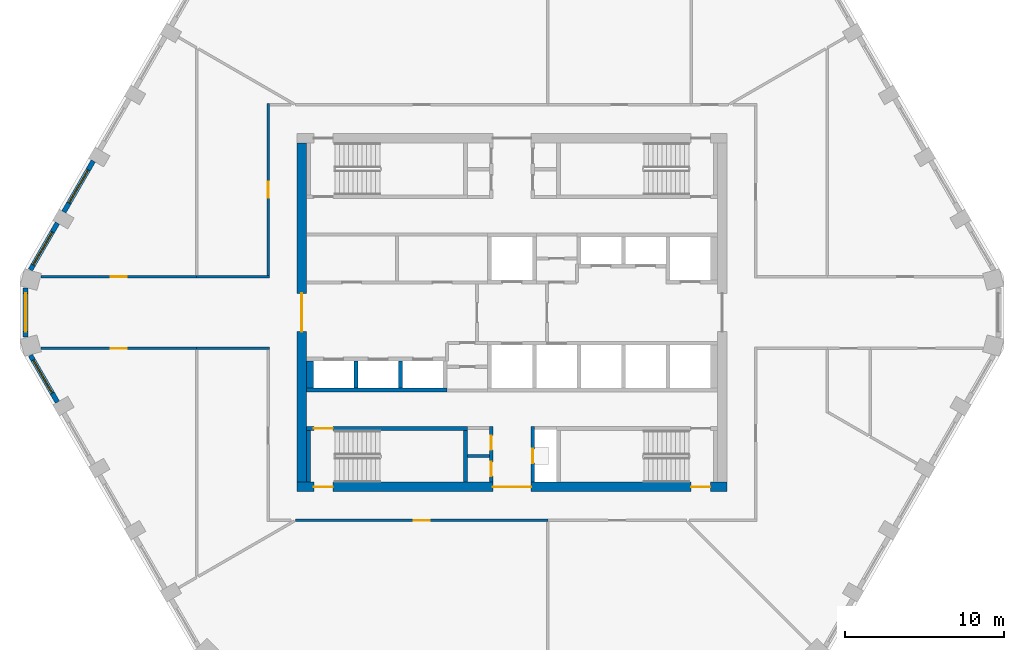
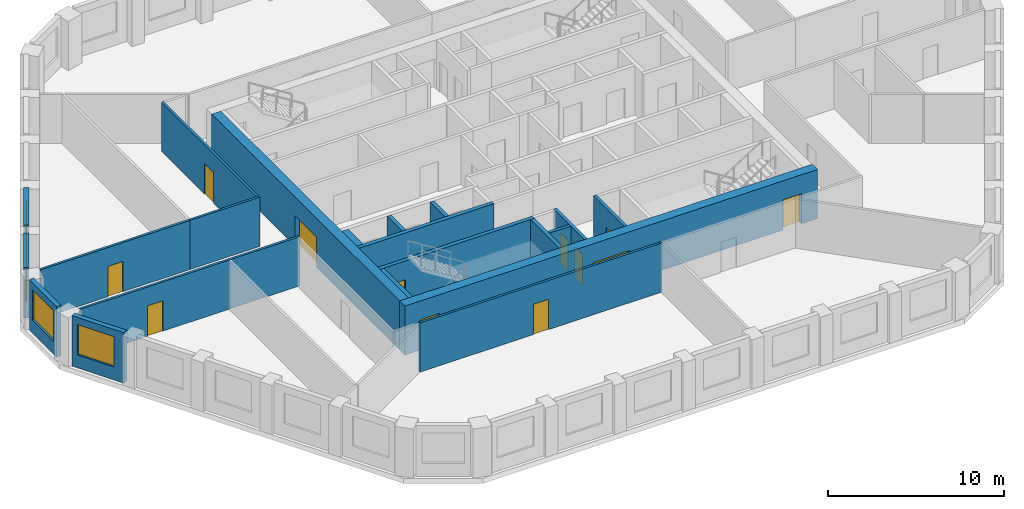
# One storey, part 2 of 8: 22 walls, 12 doors, 4 windows, 16 openings.
"""IFC4 building model written with IfcOpenShell, lengths in metres."""

from ifc_helpers import new_model, si_unit, direction, frame, frame_2d, origin, place, context, subcontext, project, spatial, polyline, rectangle, outline, extrude, material, layer, layer_set, type_object, element, fill, save


model = new_model("IFC4")

# Units and contexts
model_context = context("Model", 3, precision=1e-05, world=origin(), true_north=direction((0.0, 1.0)))
body_context = subcontext(model_context, "Body", "Model", "MODEL_VIEW")
ifc_project = project(units=[si_unit("LENGTHUNIT", "METRE"), si_unit("AREAUNIT", "SQUARE_METRE"), si_unit("VOLUMEUNIT", "CUBIC_METRE"), si_unit("PLANEANGLEUNIT", "RADIAN"), si_unit("MASSUNIT", "GRAM", prefix="KILO")], contexts=[model_context])

# Site, building, storey
site_placement = place(None, origin())
site = spatial("IfcSite", under=ifc_project, at=site_placement, CompositionType="ELEMENT")
building_placement = place(site_placement, origin())
building = spatial("IfcBuilding", under=site, at=building_placement, Name="Dhurran Vertical Campus", CompositionType="ELEMENT")
storey_placement = place(building_placement, frame((0.0, 0.0, 226.800048828125)))
storey = spatial("IfcBuildingStorey", under=building, at=storey_placement, Name="L56", CompositionType="ELEMENT", Elevation=226.800048828125)

# Wall, opening, window
ifc_material_1 = material(Name="Precast concrete C50/60", Category="concrete")
ifc_layer_1 = layer(ifc_material_1, 0.300048828125)
ifc_layer_set_1 = layer_set([ifc_layer_1], Name="Precast concrete C50/60")
wall_type_1 = type_object("IfcWallType", Name="Precast spandrel wall 300", PredefinedType="SOLIDWALL", material=ifc_layer_set_1)
wall_1_placement = place(storey_placement, frame((-26.294189453125, 9.5224609375, 0.0), z_axis=(0.0, 0.0, 1.0), x_axis=(-0.500029062817, -0.866008623709, 0.0)))
wall_1 = element("IfcWall", 1, at=wall_1_placement, inside=storey, type_object=wall_type_1, Name="EW1 L56.31", PredefinedType="SOLIDWALL", context=body_context, shape_type="SweptSolid", body=[
    extrude(rectangle(XDim=3.698974609375, YDim=0.300048828125, at=frame_2d((1.849609375, 0.0))), origin(), (0.0, 0.0, 1.0), 3.5),
])
opening_1_placement = place(wall_1_placement, frame((0.6494140625, 0.0, 0.89990234375)))
opening_1 = element("IfcOpeningElement", 2, at=opening_1_placement, cuts=wall_1, Name="Opening WT1", PredefinedType="OPENING", context=body_context, shape_type="SweptSolid", body=[
    extrude(rectangle(XDim=2.39990234375, YDim=2.10009765625, at=frame_2d((1.199951171875, 1.050048828125))), frame((0.0, 0.159912109375, 0.0), z_axis=(0.0, -1.0, 0.0), x_axis=(1.0, 0.0, 0.0)), (0.0, 0.0, 1.0), 0.320068359375),
])
ifc_material_2 = material(Name="Aluminium frame with solar-control glass", Category="aluminium")
window_type = type_object("IfcWindowType", Name="Punched window 2400 x 2100", PartitioningType="SINGLE_PANEL", PredefinedType="WINDOW", material=ifc_material_2)
window_1_placement = place(opening_1_placement, origin())
window_1 = element("IfcWindow", 3, at=window_1_placement, inside=storey, type_object=window_type, Name="WT1 L56.31", OverallHeight=2.10009765625, OverallWidth=2.39990234375, PartitioningType="SINGLE_PANEL", PredefinedType="WINDOW", context=body_context, shape_type="SweptSolid", body=[
    extrude(rectangle(XDim=2.39990234375, YDim=2.10009765625, at=frame_2d((1.199951171875, 1.050048828125))), frame((0.0, 0.030029296875, 0.0), z_axis=(0.0, -1.0, 0.0), x_axis=(1.0, 0.0, 0.0)), (0.0, 0.0, 1.0), 0.06005859375),
])
fill(opening_1, window_1)

wall_2_placement = place(storey_placement, frame((-28.544189453125, 5.625244140625, 0.0), z_axis=(0.0, 0.0, 1.0), x_axis=(-0.500012868213, -0.866017974191, 0.0)))
wall_2 = element("IfcWall", 4, at=wall_2_placement, inside=storey, type_object=wall_type_1, Name="EW1 L56.32", PredefinedType="SOLIDWALL", context=body_context, shape_type="SweptSolid", body=[
    extrude(rectangle(XDim=3.39599609375, YDim=0.300048828125, at=frame_2d((1.697998046875, 0.0))), origin(), (0.0, 0.0, 1.0), 3.5),
])
opening_2_placement = place(wall_2_placement, frame((0.6494140625, 0.0, 0.89990234375)))
opening_2 = element("IfcOpeningElement", 5, at=opening_2_placement, cuts=wall_2, Name="Opening WT1", PredefinedType="OPENING", context=body_context, shape_type="SweptSolid", body=[
    extrude(rectangle(XDim=2.39990234375, YDim=2.10009765625, at=frame_2d((1.199951171875, 1.050048828125))), frame((0.0, 0.159912109375, 0.0), z_axis=(0.0, -1.0, 0.0), x_axis=(1.0, 0.0, 0.0)), (0.0, 0.0, 1.0), 0.320068359375),
])
window_2_placement = place(opening_2_placement, origin())
window_2 = element("IfcWindow", 6, at=window_2_placement, inside=storey, type_object=window_type, Name="WT1 L56.32", OverallHeight=2.10009765625, OverallWidth=2.39990234375, PartitioningType="SINGLE_PANEL", PredefinedType="WINDOW", context=body_context, shape_type="SweptSolid", body=[
    extrude(rectangle(XDim=2.39990234375, YDim=2.10009765625, at=frame_2d((1.199951171875, 1.050048828125))), frame((0.0, 0.030029296875, 0.0), z_axis=(0.0, -1.0, 0.0), x_axis=(1.0, 0.0, 0.0)), (0.0, 0.0, 1.0), 0.06005859375),
])
fill(opening_2, window_2)

wall_3_placement = place(storey_placement, frame((-30.547119140625, 1.54638671875, 0.0), z_axis=(0.0, 0.0, 1.0), x_axis=(0.0, -1.0, 0.0)))
wall_3 = element("IfcWall", 7, at=wall_3_placement, inside=storey, type_object=wall_type_1, Name="EW1 L56.33", PredefinedType="SOLIDWALL", context=body_context, shape_type="SweptSolid", body=[
    extrude(rectangle(XDim=3.0927734375, YDim=0.300048828125, at=frame_2d((1.54638671875, 0.0))), origin(), (0.0, 0.0, 1.0), 3.5),
])
opening_3_placement = place(wall_3_placement, frame((0.34619140625, 0.0, 0.89990234375)))
opening_3 = element("IfcOpeningElement", 8, at=opening_3_placement, cuts=wall_3, Name="Opening WT1", PredefinedType="OPENING", context=body_context, shape_type="SweptSolid", body=[
    extrude(rectangle(XDim=2.39990234375, YDim=2.10009765625, at=frame_2d((1.199951171875, 1.050048828125))), frame((0.0, 0.159912109375, 0.0), z_axis=(0.0, -1.0, 0.0), x_axis=(1.0, 0.0, 0.0)), (0.0, 0.0, 1.0), 0.320068359375),
])
window_3_placement = place(opening_3_placement, origin())
window_3 = element("IfcWindow", 9, at=window_3_placement, inside=storey, type_object=window_type, Name="WT1 L56.33", OverallHeight=2.10009765625, OverallWidth=2.39990234375, PartitioningType="SINGLE_PANEL", PredefinedType="WINDOW", context=body_context, shape_type="SweptSolid", body=[
    extrude(rectangle(XDim=2.39990234375, YDim=2.10009765625, at=frame_2d((1.199951171875, 1.050048828125))), frame((0.0, 0.030029296875, 0.0), z_axis=(0.0, -1.0, 0.0), x_axis=(1.0, 0.0, 0.0)), (0.0, 0.0, 1.0), 0.06005859375),
])
fill(opening_3, window_3)

wall_4_placement = place(storey_placement, frame((-30.2421875, -2.684326171875, 0.0), z_axis=(0.0, 0.0, 1.0), x_axis=(0.500012868213, -0.866017974191, 0.0)))
wall_4 = element("IfcWall", 10, at=wall_4_placement, inside=storey, type_object=wall_type_1, Name="EW1 L56.34", PredefinedType="SOLIDWALL", context=body_context, shape_type="SweptSolid", body=[
    extrude(rectangle(XDim=3.39599609375, YDim=0.300048828125, at=frame_2d((1.697998046875, 0.0))), origin(), (0.0, 0.0, 1.0), 3.5),
])
opening_4_placement = place(wall_4_placement, frame((0.346435546875, 0.0, 0.89990234375)))
opening_4 = element("IfcOpeningElement", 11, at=opening_4_placement, cuts=wall_4, Name="Opening WT1", PredefinedType="OPENING", context=body_context, shape_type="SweptSolid", body=[
    extrude(rectangle(XDim=2.39990234375, YDim=2.10009765625, at=frame_2d((1.199951171875, 1.050048828125))), frame((0.0, 0.159912109375, 0.0), z_axis=(0.0, -1.0, 0.0), x_axis=(1.0, 0.0, 0.0)), (0.0, 0.0, 1.0), 0.320068359375),
])
window_4_placement = place(opening_4_placement, origin())
window_4 = element("IfcWindow", 12, at=window_4_placement, inside=storey, type_object=window_type, Name="WT1 L56.34", OverallHeight=2.10009765625, OverallWidth=2.39990234375, PartitioningType="SINGLE_PANEL", PredefinedType="WINDOW", context=body_context, shape_type="SweptSolid", body=[
    extrude(rectangle(XDim=2.39990234375, YDim=2.10009765625, at=frame_2d((1.199951171875, 1.050048828125))), frame((0.0, 0.030029296875, 0.0), z_axis=(0.0, -1.0, 0.0), x_axis=(1.0, 0.0, 0.0)), (0.0, 0.0, 1.0), 0.06005859375),
])
fill(opening_4, window_4)

# Wall, openings, doors
ifc_material_3 = material(Name="Concrete C50/60", Category="concrete")
ifc_layer_2 = layer(ifc_material_3, 0.60009765625)
ifc_layer_set_2 = layer_set([ifc_layer_2], Name="Concrete C50/60")
wall_type_2 = type_object("IfcWallType", Name="co-CORE-WALL-C2-600", PredefinedType="SHEAR", material=ifc_layer_set_2)
wall_5_placement = place(storey_placement, frame((-13.5, -10.949951171875, 0.0), z_axis=(0.0, 0.0, 1.0), x_axis=(1.0, 0.0, 0.0)))
wall_5 = element("IfcWall", 13, at=wall_5_placement, inside=storey, type_object=wall_type_2, Name="Core wall S L56", PredefinedType="SHEAR", context=body_context, shape_type="SweptSolid", body=[
    extrude(rectangle(XDim=27.0, YDim=0.60009765625, at=frame_2d((13.5, 0.0))), origin(), (0.0, 0.0, 1.0), 3.39990234375),
])
opening_5_placement = place(wall_5_placement, frame((12.300048828125, 0.0, 0.0)))
opening_5 = element("IfcOpeningElement", 14, at=opening_5_placement, cuts=wall_5, Name="Opening CV2", PredefinedType="OPENING", context=body_context, shape_type="SweptSolid", body=[
    extrude(rectangle(XDim=2.39990234375, YDim=2.10009765625, at=frame_2d((1.199951171875, 1.050048828125))), frame((0.0, 0.31005859375, 0.0), z_axis=(0.0, -1.0, 0.0), x_axis=(1.0, 0.0, 0.0)), (0.0, 0.0, 1.0), 0.6201171875),
])
opening_6_placement = place(wall_5_placement, frame((1.050048828125, 0.0, 0.0)))
opening_6 = element("IfcOpeningElement", 15, at=opening_6_placement, cuts=wall_5, Name="Opening XD3", PredefinedType="OPENING", context=body_context, shape_type="SweptSolid", body=[
    extrude(rectangle(XDim=1.199951171875, YDim=2.10009765625, at=frame_2d((0.60009765625, 1.050048828125))), frame((0.0, 0.31005859375, 0.0), z_axis=(0.0, -1.0, 0.0), x_axis=(1.0, 0.0, 0.0)), (0.0, 0.0, 1.0), 0.6201171875),
])
opening_7_placement = place(wall_5_placement, frame((24.75, 0.0, 0.0)))
opening_7 = element("IfcOpeningElement", 16, at=opening_7_placement, cuts=wall_5, Name="Opening XD4", PredefinedType="OPENING", context=body_context, shape_type="SweptSolid", body=[
    extrude(rectangle(XDim=1.199951171875, YDim=2.10009765625, at=frame_2d((0.60009765625, 1.050048828125))), frame((0.0, 0.31005859375, 0.0), z_axis=(0.0, -1.0, 0.0), x_axis=(1.0, 0.0, 0.0)), (0.0, 0.0, 1.0), 0.6201171875),
])
ifc_material_4 = material(Name="Fire-rated glazed door set")
door_type_1 = type_object("IfcDoorType", Name="co-D-LOBBY 2400x2100", OperationType="DOUBLE_DOOR_DOUBLE_SWING", PredefinedType="DOOR", material=ifc_material_4)
door_1_placement = place(opening_5_placement, origin())
door_1 = element("IfcDoor", 17, at=door_1_placement, inside=storey, type_object=door_type_1, Name="Core vestibule door S L56", OperationType="DOUBLE_DOOR_DOUBLE_SWING", OverallHeight=2.10009765625, OverallWidth=2.39990234375, PredefinedType="DOOR", context=body_context, shape_type="SweptSolid", body=[
    extrude(rectangle(XDim=2.39990234375, YDim=2.10009765625, at=frame_2d((1.199951171875, 1.050048828125))), frame((0.0, 0.02490234375, 0.0), z_axis=(0.0, -1.0, 0.0), x_axis=(1.0, 0.0, 0.0)), (0.0, 0.0, 1.0), 0.050048828125),
])
fill(opening_5, door_1)
ifc_material_5 = material(Name="Fire-rated steel door set", Category="steel")
door_type_2 = type_object("IfcDoorType", Name="co-D-STAIR-EXIT 1200x2100", OperationType="SINGLE_SWING_RIGHT", PredefinedType="DOOR", material=ifc_material_5)
door_2_placement = place(opening_6_placement, origin())
door_2 = element("IfcDoor", 18, at=door_2_placement, inside=storey, type_object=door_type_2, Name="Stair ST3 exit door L56", OperationType="SINGLE_SWING_RIGHT", OverallHeight=2.10009765625, OverallWidth=1.199951171875, PredefinedType="DOOR", context=body_context, shape_type="SweptSolid", body=[
    extrude(rectangle(XDim=1.199951171875, YDim=2.10009765625, at=frame_2d((0.60009765625, 1.050048828125))), frame((0.0, 0.02490234375, 0.0), z_axis=(0.0, -1.0, 0.0), x_axis=(1.0, 0.0, 0.0)), (0.0, 0.0, 1.0), 0.050048828125),
])
fill(opening_6, door_2)
door_3_placement = place(opening_7_placement, origin())
door_3 = element("IfcDoor", 19, at=door_3_placement, inside=storey, type_object=door_type_2, Name="Stair ST4 exit door L56", OperationType="SINGLE_SWING_RIGHT", OverallHeight=2.10009765625, OverallWidth=1.199951171875, PredefinedType="DOOR", context=body_context, shape_type="SweptSolid", body=[
    extrude(rectangle(XDim=1.199951171875, YDim=2.10009765625, at=frame_2d((0.60009765625, 1.050048828125))), frame((0.0, 0.02490234375, 0.0), z_axis=(0.0, -1.0, 0.0), x_axis=(1.0, 0.0, 0.0)), (0.0, 0.0, 1.0), 0.050048828125),
])
fill(opening_7, door_3)

# Wall, opening, door
wall_6_placement = place(storey_placement, frame((-13.199951171875, -10.64990234375, 0.0), z_axis=(0.0, 0.0, 1.0), x_axis=(0.0, 1.0, 0.0)))
wall_6 = element("IfcWall", 20, at=wall_6_placement, inside=storey, type_object=wall_type_2, Name="Core wall W L56", PredefinedType="SHEAR", context=body_context, shape_type="SweptSolid", body=[
    extrude(rectangle(XDim=21.2998046875, YDim=0.60009765625, at=frame_2d((10.64990234375, 0.0))), origin(), (0.0, 0.0, 1.0), 3.39990234375),
])
opening_8_placement = place(wall_6_placement, frame((9.449951171875, 0.0, 0.0)))
opening_8 = element("IfcOpeningElement", 21, at=opening_8_placement, cuts=wall_6, Name="Opening CL1", PredefinedType="OPENING", context=body_context, shape_type="SweptSolid", body=[
    extrude(rectangle(XDim=2.39990234375, YDim=2.10009765625, at=frame_2d((1.199951171875, 1.050048828125))), frame((0.0, 0.31005859375, 0.0), z_axis=(0.0, -1.0, 0.0), x_axis=(1.0, 0.0, 0.0)), (0.0, 0.0, 1.0), 0.6201171875),
])
door_4_placement = place(opening_8_placement, origin())
door_4 = element("IfcDoor", 22, at=door_4_placement, inside=storey, type_object=door_type_1, Name="Lift lobby door W L56", OperationType="DOUBLE_DOOR_DOUBLE_SWING", OverallHeight=2.10009765625, OverallWidth=2.39990234375, PredefinedType="DOOR", context=body_context, shape_type="SweptSolid", body=[
    extrude(rectangle(XDim=2.39990234375, YDim=2.10009765625, at=frame_2d((1.199951171875, 1.050048828125))), frame((0.0, 0.02490234375, 0.0), z_axis=(0.0, -1.0, 0.0), x_axis=(1.0, 0.0, 0.0)), (0.0, 0.0, 1.0), 0.050048828125),
])
fill(opening_8, door_4)

# Wall
ifc_material_6 = material(Name="Fire-rated masonry blockwork", Category="masonry")
ifc_layer_3 = layer(ifc_material_6, 0.199951171875)
ifc_layer_set_3 = layer_set([ifc_layer_3], Name="Fire-rated masonry blockwork")
wall_type_3 = type_object("IfcWallType", Name="co-FIRE-PARTITION-200", PredefinedType="PARTITIONING", material=ifc_layer_set_3)
wall_7_placement = place(storey_placement, frame((-2.800048828125, -9.0, 0.0), z_axis=(0.0, 0.0, 1.0), x_axis=(1.0, 0.0, 0.0)))
element("IfcWall", 23, at=wall_7_placement, inside=storey, type_object=wall_type_3, Name="Core partition sl-SW-cut0 L56", PredefinedType="PARTITIONING", context=body_context, shape_type="SweptSolid", body=[
    extrude(rectangle(XDim=1.400146484375, YDim=0.199951171875, at=frame_2d((0.7001953125, 0.0))), origin(), (0.0, 0.0, 1.0), 3.39990234375),
])

# Wall, openings, doors
wall_8_placement = place(storey_placement, frame((-1.300048828125, -10.64990234375, 0.0), z_axis=(0.0, 0.0, 1.0), x_axis=(0.0, 1.0, 0.0)))
wall_8 = element("IfcWall", 24, at=wall_8_placement, inside=storey, type_object=wall_type_3, Name="Core partition vest-SW L56", PredefinedType="PARTITIONING", context=body_context, shape_type="SweptSolid", body=[
    extrude(rectangle(XDim=3.5, YDim=0.199951171875, at=frame_2d((1.75, 0.0))), origin(), (0.0, 0.0, 1.0), 3.39990234375),
])
opening_9_placement = place(wall_8_placement, frame((0.375, 0.0, 0.0)))
opening_9 = element("IfcOpeningElement", 25, at=opening_9_placement, cuts=wall_8, Name="Opening T16-C1", PredefinedType="OPENING", context=body_context, shape_type="SweptSolid", body=[
    extrude(rectangle(XDim=0.89990234375, YDim=2.10009765625, at=frame_2d((0.449951171875, 1.050048828125))), frame((0.0, 0.10986328125, 0.0), z_axis=(0.0, -1.0, 0.0), x_axis=(1.0, 0.0, 0.0)), (0.0, 0.0, 1.0), 0.219970703125),
])
opening_10_placement = place(wall_8_placement, frame((2.02490234375, 0.0, 0.0)))
opening_10 = element("IfcOpeningElement", 26, at=opening_10_placement, cuts=wall_8, Name="Opening T16-C2", PredefinedType="OPENING", context=body_context, shape_type="SweptSolid", body=[
    extrude(rectangle(XDim=0.89990234375, YDim=2.10009765625, at=frame_2d((0.449951171875, 1.050048828125))), frame((0.0, 0.10986328125, 0.0), z_axis=(0.0, -1.0, 0.0), x_axis=(1.0, 0.0, 0.0)), (0.0, 0.0, 1.0), 0.219970703125),
])
ifc_material_7 = material(Name="Fire-rated timber door set", Category="wood")
door_type_3 = type_object("IfcDoorType", Name="co-D-ROOM 900x2100", OperationType="SINGLE_SWING_LEFT", PredefinedType="DOOR", material=ifc_material_7)
door_5_placement = place(opening_9_placement, origin())
door_5 = element("IfcDoor", 27, at=door_5_placement, inside=storey, type_object=door_type_3, Name="Store door L56", OperationType="SINGLE_SWING_LEFT", OverallHeight=2.10009765625, OverallWidth=0.89990234375, PredefinedType="DOOR", context=body_context, shape_type="SweptSolid", body=[
    extrude(rectangle(XDim=0.89990234375, YDim=2.10009765625, at=frame_2d((0.449951171875, 1.050048828125))), frame((0.0, 0.02490234375, 0.0), z_axis=(0.0, -1.0, 0.0), x_axis=(1.0, 0.0, 0.0)), (0.0, 0.0, 1.0), 0.050048828125),
])
fill(opening_9, door_5)
door_6_placement = place(opening_10_placement, origin())
door_6 = element("IfcDoor", 28, at=door_6_placement, inside=storey, type_object=door_type_3, Name="Communications room door L56", OperationType="SINGLE_SWING_LEFT", OverallHeight=2.10009765625, OverallWidth=0.89990234375, PredefinedType="DOOR", context=body_context, shape_type="SweptSolid", body=[
    extrude(rectangle(XDim=0.89990234375, YDim=2.10009765625, at=frame_2d((0.449951171875, 1.050048828125))), frame((0.0, 0.02490234375, 0.0), z_axis=(0.0, -1.0, 0.0), x_axis=(1.0, 0.0, 0.0)), (0.0, 0.0, 1.0), 0.050048828125),
])
fill(opening_10, door_6)

# Wall, opening, door
wall_9_placement = place(storey_placement, frame((1.300048828125, -10.64990234375, 0.0), z_axis=(0.0, 0.0, 1.0), x_axis=(0.0, 1.0, 0.0)))
wall_9 = element("IfcWall", 29, at=wall_9_placement, inside=storey, type_object=wall_type_3, Name="Core partition vest-SE L56", PredefinedType="PARTITIONING", context=body_context, shape_type="SweptSolid", body=[
    extrude(rectangle(XDim=3.5, YDim=0.199951171875, at=frame_2d((1.75, 0.0))), origin(), (0.0, 0.0, 1.0), 3.39990234375),
])
opening_11_placement = place(wall_9_placement, frame((1.199951171875, 0.0, 0.0)))
opening_11 = element("IfcOpeningElement", 30, at=opening_11_placement, cuts=wall_9, Name="Opening T16-C3", PredefinedType="OPENING", context=body_context, shape_type="SweptSolid", body=[
    extrude(rectangle(XDim=0.89990234375, YDim=2.10009765625, at=frame_2d((0.449951171875, 1.050048828125))), frame((0.0, 0.10986328125, 0.0), z_axis=(0.0, -1.0, 0.0), x_axis=(1.0, 0.0, 0.0)), (0.0, 0.0, 1.0), 0.219970703125),
])
door_7_placement = place(opening_11_placement, origin())
door_7 = element("IfcDoor", 31, at=door_7_placement, inside=storey, type_object=door_type_3, Name="Electrical riser door L56", OperationType="SINGLE_SWING_LEFT", OverallHeight=2.10009765625, OverallWidth=0.89990234375, PredefinedType="DOOR", context=body_context, shape_type="SweptSolid", body=[
    extrude(rectangle(XDim=0.89990234375, YDim=2.10009765625, at=frame_2d((0.449951171875, 1.050048828125))), frame((0.0, 0.02490234375, 0.0), z_axis=(0.0, -1.0, 0.0), x_axis=(1.0, 0.0, 0.0)), (0.0, 0.0, 1.0), 0.050048828125),
])
fill(opening_11, door_7)

# Walls
ifc_material_8 = material(Name="Concrete C50/60", Category="concrete")
ifc_layer_4 = layer(ifc_material_8, 0.25)
ifc_layer_set_4 = layer_set([ifc_layer_4], Name="Concrete C50/60")
wall_type_4 = type_object("IfcWallType", Name="co-SHAFT-MASS-250", PredefinedType="SHEAR", material=ifc_layer_set_4)
wall_10_placement = place(storey_placement, origin())
element("IfcWall", 32, at=wall_10_placement, inside=storey, type_object=wall_type_4, Name="Lift shaft wall S L56 1", PredefinedType="SHEAR", context=body_context, shape_type="SweptSolid", body=[
    extrude(outline(polyline([(-12.89990234375, -5.0), (-4.074951171875, -5.0), (-4.074951171875, -4.75), (-12.89990234375, -4.75), (-12.89990234375, -5.0)])), origin(), (0.0, 0.0, 1.0), 3.39990234375),
])
wall_11_placement = place(storey_placement, origin())
element("IfcWall", 33, at=wall_11_placement, inside=storey, type_object=wall_type_4, Name="Lift shaft wall S L56 3", PredefinedType="SHEAR", context=body_context, shape_type="SweptSolid", body=[
    extrude(outline(polyline([(-12.89990234375, -4.75), (-12.47509765625, -4.75), (-12.47509765625, -3.050048828125), (-12.89990234375, -3.050048828125), (-12.89990234375, -4.75)])), origin(), (0.0, 0.0, 1.0), 3.39990234375),
])
wall_12_placement = place(storey_placement, origin())
element("IfcWall", 34, at=wall_12_placement, inside=storey, type_object=wall_type_4, Name="Lift shaft wall S L56 4", PredefinedType="SHEAR", context=body_context, shape_type="SweptSolid", body=[
    extrude(outline(polyline([(-9.925048828125, -4.75), (-9.675048828125, -4.75), (-9.675048828125, -3.050048828125), (-9.925048828125, -3.050048828125), (-9.925048828125, -4.75)])), origin(), (0.0, 0.0, 1.0), 3.39990234375),
])
wall_13_placement = place(storey_placement, origin())
element("IfcWall", 35, at=wall_13_placement, inside=storey, type_object=wall_type_4, Name="Lift shaft wall S L56 5", PredefinedType="SHEAR", context=body_context, shape_type="SweptSolid", body=[
    extrude(outline(polyline([(-7.125, -4.75), (-6.875, -4.75), (-6.875, -3.050048828125), (-7.125, -3.050048828125), (-7.125, -4.75)])), origin(), (0.0, 0.0, 1.0), 3.39990234375),
])

# Wall, opening, door
ifc_material_9 = material(Name="Concrete C40/50", Category="concrete")
ifc_layer_5 = layer(ifc_material_9, 0.25)
ifc_layer_set_5 = layer_set([ifc_layer_5], Name="Concrete C40/50")
wall_type_5 = type_object("IfcWallType", Name="co-STAIR-WALL-250", PredefinedType="SHEAR", material=ifc_layer_set_5)
wall_14_placement = place(storey_placement, frame((-12.89990234375, -7.27490234375, 0.0), z_axis=(0.0, 0.0, 1.0), x_axis=(1.0, 0.0, 0.0)))
wall_14 = element("IfcWall", 36, at=wall_14_placement, inside=storey, type_object=wall_type_5, Name="Stair ST3 enclosure wall L56", PredefinedType="SHEAR", context=body_context, shape_type="SweptSolid", body=[
    extrude(rectangle(XDim=10.099853515625, YDim=0.25, at=frame_2d((5.0498046875, 0.0))), origin(), (0.0, 0.0, 1.0), 3.39990234375),
])
opening_12_placement = place(wall_14_placement, frame((0.449951171875, 0.0, 0.0)))
opening_12 = element("IfcOpeningElement", 37, at=opening_12_placement, cuts=wall_14, Name="Opening SD3", PredefinedType="OPENING", context=body_context, shape_type="SweptSolid", body=[
    extrude(rectangle(XDim=1.199951171875, YDim=2.10009765625, at=frame_2d((0.60009765625, 1.050048828125))), frame((0.0, 0.135009765625, 0.0), z_axis=(0.0, -1.0, 0.0), x_axis=(1.0, 0.0, 0.0)), (0.0, 0.0, 1.0), 0.27001953125),
])
ifc_material_10 = material(Name="Fire-rated steel door set", Category="steel")
door_type_4 = type_object("IfcDoorType", Name="co-D-STAIR 1200x2100", OperationType="SINGLE_SWING_LEFT", PredefinedType="DOOR", material=ifc_material_10)
door_8_placement = place(opening_12_placement, origin())
door_8 = element("IfcDoor", 38, at=door_8_placement, inside=storey, type_object=door_type_4, Name="Stair ST3 door L56", OperationType="SINGLE_SWING_LEFT", OverallHeight=2.10009765625, OverallWidth=1.199951171875, PredefinedType="DOOR", context=body_context, shape_type="SweptSolid", body=[
    extrude(rectangle(XDim=1.199951171875, YDim=2.10009765625, at=frame_2d((0.60009765625, 1.050048828125))), frame((0.0, 0.02490234375, 0.0), z_axis=(0.0, -1.0, 0.0), x_axis=(1.0, 0.0, 0.0)), (0.0, 0.0, 1.0), 0.050048828125),
])
fill(opening_12, door_8)

# Walls
for number, where, z_axis, x_axis, name in (
    (39, (-12.77490234375, -10.64990234375, 0.0), (0.0, 0.0, 1.0), (0.0, 1.0, 0.0), "Stair ST3 enclosure wall L56"),
    (40, (-2.925048828125, -10.64990234375, 0.0), (0.0, 0.0, 1.0), (0.0, 1.0, 0.0), "Stair ST3 enclosure wall L56"),
):
    element("IfcWall", number, at=place(storey_placement, frame(where, z_axis=z_axis, x_axis=x_axis)), inside=storey, type_object=wall_type_5, Name=name, PredefinedType="SHEAR", context=body_context, shape_type="SweptSolid", body=[
        extrude(rectangle(XDim=3.25, YDim=0.25, at=frame_2d((1.625, 0.0))), origin(), (0.0, 0.0, 1.0), 3.39990234375),
    ])

# Wall, opening, door
ifc_material_11 = material(Name="Gypsum board corridor wall on steel studs", Category="steel")
ifc_layer_6 = layer(ifc_material_11, 0.14990234375)
ifc_layer_set_6 = layer_set([ifc_layer_6], Name="Gypsum board corridor wall on steel studs")
wall_type_6 = type_object("IfcWallType", Name="fl-CW-150 corridor wall", PredefinedType="PARTITIONING", material=ifc_layer_set_6)
wall_15_placement = place(storey_placement, frame((-19.800048828125, -2.25, 0.0), z_axis=(0.0, 0.0, 1.0), x_axis=(-1.0, 0.0, 0.0)))
wall_15 = element("IfcWall", 41, at=wall_15_placement, inside=storey, type_object=wall_type_6, Name="Partition 56-01", PredefinedType="PARTITIONING", context=body_context, shape_type="SweptSolid", body=[
    extrude(rectangle(XDim=9.784912109375, YDim=0.14990234375, at=frame_2d((4.892578125, 0.0))), origin(), (0.0, 0.0, 1.0), 3.39990234375),
])
opening_13_placement = place(wall_15_placement, frame((4.392578125, 0.0, 0.0)))
opening_13 = element("IfcOpeningElement", 42, at=opening_13_placement, cuts=wall_15, Name="Opening T16.01", PredefinedType="OPENING", context=body_context, shape_type="SweptSolid", body=[
    extrude(rectangle(XDim=1.0, YDim=2.10009765625, at=frame_2d((0.5, 1.050048828125))), frame((0.0, 0.0849609375, 0.0), z_axis=(0.0, -1.0, 0.0), x_axis=(1.0, 0.0, 0.0)), (0.0, 0.0, 1.0), 0.169921875),
])
ifc_material_12 = material(Name="Solid-core timber door set, fire-rated", Category="wood")
door_type_5 = type_object("IfcDoorType", Name="fl-D-1000x2100", OperationType="SINGLE_SWING_LEFT", PredefinedType="DOOR", material=ifc_material_12)
door_9_placement = place(opening_13_placement, origin())
door_9 = element("IfcDoor", 43, at=door_9_placement, inside=storey, type_object=door_type_5, Name="Door 56.01", OperationType="SINGLE_SWING_RIGHT", OverallHeight=2.10009765625, OverallWidth=1.0, PredefinedType="DOOR", context=body_context, shape_type="SweptSolid", body=[
    extrude(rectangle(XDim=1.0, YDim=2.10009765625, at=frame_2d((0.5, 1.050048828125))), frame((0.0, 0.02490234375, 0.0), z_axis=(0.0, -1.0, 0.0), x_axis=(1.0, 0.0, 0.0)), (0.0, 0.0, 1.0), 0.050048828125),
])
fill(opening_13, door_9)

wall_16_placement = place(storey_placement, frame((-29.5849609375, 2.25, 0.0), z_axis=(0.0, 0.0, 1.0), x_axis=(1.0, 0.0, 0.0)))
wall_16 = element("IfcWall", 44, at=wall_16_placement, inside=storey, type_object=wall_type_6, Name="Partition 56-02", PredefinedType="PARTITIONING", context=body_context, shape_type="SweptSolid", body=[
    extrude(rectangle(XDim=9.784912109375, YDim=0.14990234375, at=frame_2d((4.892578125, 0.0))), origin(), (0.0, 0.0, 1.0), 3.39990234375),
])
opening_14_placement = place(wall_16_placement, frame((4.392578125, 0.0, 0.0)))
opening_14 = element("IfcOpeningElement", 45, at=opening_14_placement, cuts=wall_16, Name="Opening T16.02", PredefinedType="OPENING", context=body_context, shape_type="SweptSolid", body=[
    extrude(rectangle(XDim=1.0, YDim=2.10009765625, at=frame_2d((0.5, 1.050048828125))), frame((0.0, 0.0849609375, 0.0), z_axis=(0.0, -1.0, 0.0), x_axis=(1.0, 0.0, 0.0)), (0.0, 0.0, 1.0), 0.169921875),
])
door_10_placement = place(opening_14_placement, origin())
door_10 = element("IfcDoor", 46, at=door_10_placement, inside=storey, type_object=door_type_5, Name="Door 56.02", OperationType="SINGLE_SWING_LEFT", OverallHeight=2.10009765625, OverallWidth=1.0, PredefinedType="DOOR", context=body_context, shape_type="SweptSolid", body=[
    extrude(rectangle(XDim=1.0, YDim=2.10009765625, at=frame_2d((0.5, 1.050048828125))), frame((0.0, 0.02490234375, 0.0), z_axis=(0.0, -1.0, 0.0), x_axis=(1.0, 0.0, 0.0)), (0.0, 0.0, 1.0), 0.050048828125),
])
fill(opening_14, door_10)

# Walls
for number, where, z_axis, x_axis, name in (
    (47, (-15.22509765625, -2.25, 0.0), (0.0, 0.0, 1.0), (-1.0, 0.0, 0.0), "Partition 56-07"),
    (48, (-19.800048828125, 2.25, 0.0), (0.0, 0.0, 1.0), (1.0, 0.0, 0.0), "Partition 56-09"),
):
    element("IfcWall", number, at=place(storey_placement, frame(where, z_axis=z_axis, x_axis=x_axis)), inside=storey, type_object=wall_type_6, Name=name, PredefinedType="PARTITIONING", context=body_context, shape_type="SweptSolid", body=[
        extrude(rectangle(XDim=4.574951171875, YDim=0.14990234375, at=frame_2d((2.28759765625, 0.0))), origin(), (0.0, 0.0, 1.0), 3.39990234375),
    ])

# Wall, opening, door
wall_17_placement = place(storey_placement, frame((-15.300048828125, 13.125, 0.0), z_axis=(0.0, 0.0, 1.0), x_axis=(0.0, -1.0, 0.0)))
wall_17 = element("IfcWall", 49, at=wall_17_placement, inside=storey, type_object=wall_type_6, Name="Partition 56-13", PredefinedType="PARTITIONING", context=body_context, shape_type="SweptSolid", body=[
    extrude(rectangle(XDim=10.800048828125, YDim=0.14990234375, at=frame_2d((5.39990234375, 0.0))), origin(), (0.0, 0.0, 1.0), 3.39990234375),
])
opening_15_placement = place(wall_17_placement, frame((4.89990234375, 0.0, 0.0)))
opening_15 = element("IfcOpeningElement", 50, at=opening_15_placement, cuts=wall_17, Name="Opening T16.04", PredefinedType="OPENING", context=body_context, shape_type="SweptSolid", body=[
    extrude(rectangle(XDim=1.0, YDim=2.10009765625, at=frame_2d((0.5, 1.050048828125))), frame((0.0, 0.0849609375, 0.0), z_axis=(0.0, -1.0, 0.0), x_axis=(1.0, 0.0, 0.0)), (0.0, 0.0, 1.0), 0.169921875),
])
door_11_placement = place(opening_15_placement, origin())
door_11 = element("IfcDoor", 51, at=door_11_placement, inside=storey, type_object=door_type_5, Name="Door 56.04", OperationType="SINGLE_SWING_LEFT", OverallHeight=2.10009765625, OverallWidth=1.0, PredefinedType="DOOR", context=body_context, shape_type="SweptSolid", body=[
    extrude(rectangle(XDim=1.0, YDim=2.10009765625, at=frame_2d((0.5, 1.050048828125))), frame((0.0, 0.02490234375, 0.0), z_axis=(0.0, -1.0, 0.0), x_axis=(1.0, 0.0, 0.0)), (0.0, 0.0, 1.0), 0.050048828125),
])
fill(opening_15, door_11)

wall_18_placement = place(storey_placement, frame((-13.60302734375, -13.050048828125, 0.0), z_axis=(0.0, 0.0, 1.0), x_axis=(1.0, 0.0, 0.0)))
wall_18 = element("IfcWall", 52, at=wall_18_placement, inside=storey, type_object=wall_type_6, Name="Partition 56-15", PredefinedType="PARTITIONING", context=body_context, shape_type="SweptSolid", body=[
    extrude(rectangle(XDim=15.85302734375, YDim=0.14990234375, at=frame_2d((7.926513671875, 0.0))), origin(), (0.0, 0.0, 1.0), 3.39990234375),
])
opening_16_placement = place(wall_18_placement, frame((7.426513671875, 0.0, 0.0)))
opening_16 = element("IfcOpeningElement", 53, at=opening_16_placement, cuts=wall_18, Name="Opening T16.05", PredefinedType="OPENING", context=body_context, shape_type="SweptSolid", body=[
    extrude(rectangle(XDim=1.0, YDim=2.10009765625, at=frame_2d((0.5, 1.050048828125))), frame((0.0, 0.0849609375, 0.0), z_axis=(0.0, -1.0, 0.0), x_axis=(1.0, 0.0, 0.0)), (0.0, 0.0, 1.0), 0.169921875),
])
door_12_placement = place(opening_16_placement, origin())
door_12 = element("IfcDoor", 54, at=door_12_placement, inside=storey, type_object=door_type_5, Name="Door 56.05", OperationType="SINGLE_SWING_RIGHT", OverallHeight=2.10009765625, OverallWidth=1.0, PredefinedType="DOOR", context=body_context, shape_type="SweptSolid", body=[
    extrude(rectangle(XDim=1.0, YDim=2.10009765625, at=frame_2d((0.5, 1.050048828125))), frame((0.0, 0.02490234375, 0.0), z_axis=(0.0, -1.0, 0.0), x_axis=(1.0, 0.0, 0.0)), (0.0, 0.0, 1.0), 0.050048828125),
])
fill(opening_16, door_12)

save(model, "model.ifc")
